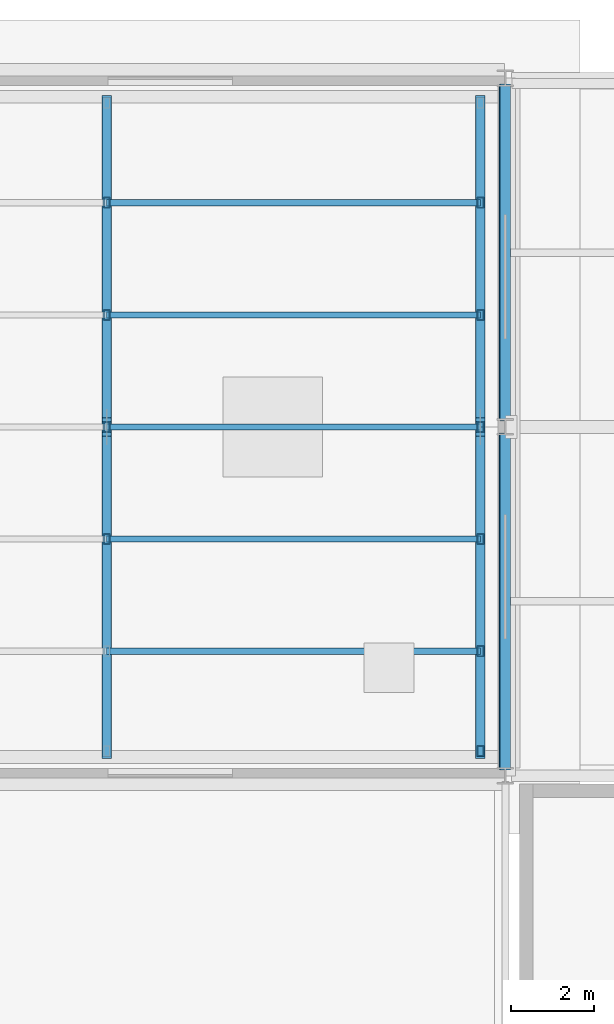
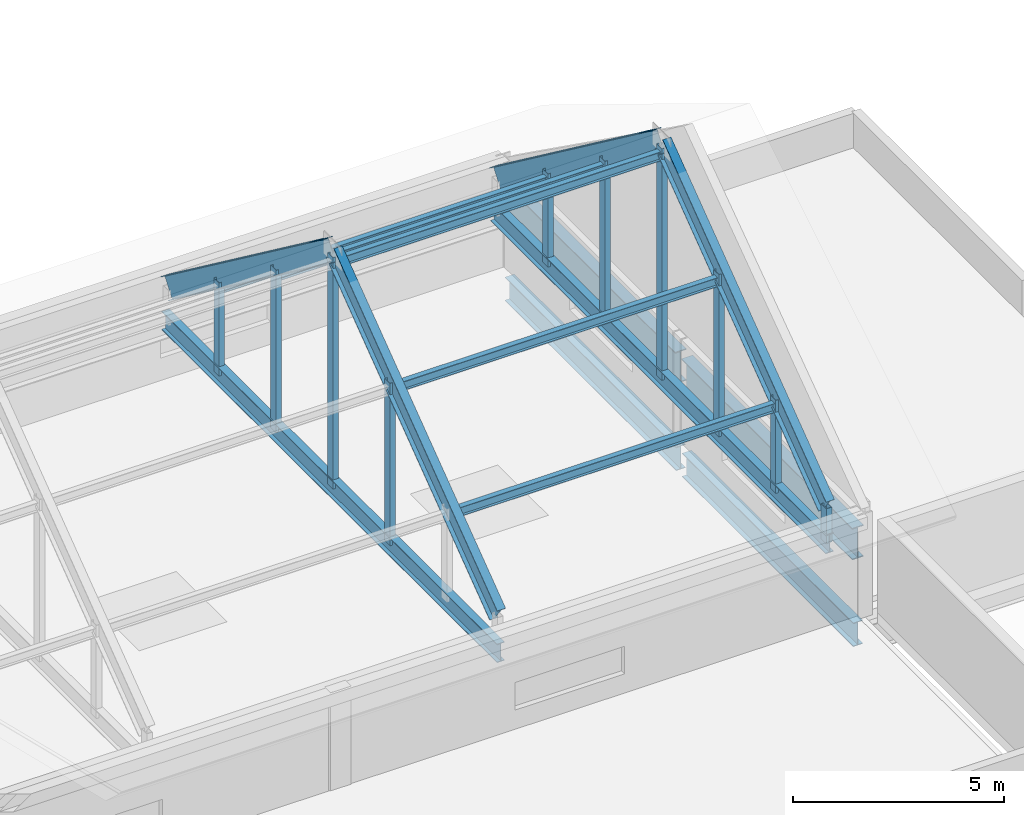
# One storey, part 4 of 10: 15 beams, 10 members.
"""IFC4 building model written with IfcOpenShell, lengths in metres."""

from ifc_helpers import new_model, si_unit, direction, frame, origin, origin_2d, place, context, subcontext, project, spatial, hollow_rectangle, i_section, extrude, material, material_profile, profile_set, type_object, element, save


model = new_model("IFC4")

# Units and contexts
model_context = context("Model", 3, precision=1e-05, world=origin(), true_north=direction((0.0, 1.0)))
body_context = subcontext(model_context, "Body", "Model", "MODEL_VIEW")
ifc_project = project(units=[si_unit("LENGTHUNIT", "METRE"), si_unit("AREAUNIT", "SQUARE_METRE"), si_unit("VOLUMEUNIT", "CUBIC_METRE"), si_unit("PLANEANGLEUNIT", "RADIAN"), si_unit("MASSUNIT", "GRAM", prefix="KILO")], contexts=[model_context])

# Site, building, storey
site_placement = place(None, origin())
site = spatial("IfcSite", under=ifc_project, at=site_placement, CompositionType="ELEMENT")
building_placement = place(site_placement, origin())
building = spatial("IfcBuilding", under=site, at=building_placement, Name="Lornevale Opera House", CompositionType="ELEMENT")
storey_placement = place(building_placement, frame((0.0, 0.0, 31.199951171875)))
storey = spatial("IfcBuildingStorey", under=building, at=storey_placement, Name="RF", CompositionType="ELEMENT", Elevation=31.199951171875)

# Beams
ifc_material = material(Name="Structural Steel CSA G40.21 Grade 350W (350 MPa)", Category="steel")
ifc_material_profile_1 = material_profile(ifc_material, i_section(OverallWidth=0.2099609375, OverallDepth=0.537109375, WebThickness=0.010986328125, FlangeThickness=0.017333984375, at=origin_2d()), Name="W530x101")
ifc_profile_set_1 = profile_set([ifc_material_profile_1], Name="Structural Steel CSA G40.21 Grade 350W (350 MPa)")
beam_type_1 = type_object("IfcBeamType", Name="Auditorium Truss Bottom Chord W530x101", PredefinedType="BEAM", material=ifc_profile_set_1)
for number, where, z_axis, x_axis, name in (
    (1, (86.39990234375, 67.64990234375, 1.949951171875), (0.0, 1.0, 0.0), (-1.0, 0.0, 0.0), "Auditorium Truss Bottom Chord W530x101 2996"),
    (2, (95.39990234375, 67.64990234375, 1.949951171875), (0.0, 1.0, 0.0), (-1.0, 0.0, 0.0), "Auditorium Truss Bottom Chord W530x101 2999"),
):
    element("IfcBeam", number, at=place(storey_placement, frame(where, z_axis=z_axis, x_axis=x_axis)), inside=storey, type_object=beam_type_1, Name=name, PredefinedType="BEAM", context=body_context, shape_type="SweptSolid", body=[
        extrude(i_section(OverallWidth=0.2099609375, OverallDepth=0.537109375, WebThickness=0.010986328125, FlangeThickness=0.017333984375, at=origin_2d()), origin(), (0.0, 0.0, 1.0), 15.900146484375),
    ])
ifc_material_profile_2 = material_profile(ifc_material, i_section(OverallWidth=0.22900390625, OverallDepth=0.612060546875, WebThickness=0.011962890625, FlangeThickness=0.01953125, at=origin_2d()), Name="W610x125")
ifc_profile_set_2 = profile_set([ifc_material_profile_2], Name="Structural Steel CSA G40.21 Grade 350W (350 MPa)")
beam_type_2 = type_object("IfcBeamType", Name="Auditorium Truss Top Chord W610x125", PredefinedType="BEAM", material=ifc_profile_set_2)
for number, where, z_axis, x_axis, name in (
    (3, (86.39990234375, 67.800048828125, 2.9599609375), (0.0, 0.801113071648, 0.598513029461), (-1.0, 0.0, 0.0), "Auditorium Truss Top Chord W610x125 2997"),
    (4, (86.39990234375, 75.64990234375, 8.75), (0.0, 0.801113071648, -0.598513029461), (-1.0, 0.0, 0.0), "Auditorium Truss Top Chord W610x125 2998"),
    (5, (95.39990234375, 67.800048828125, 2.9599609375), (0.0, 0.801113071648, 0.598513029461), (-1.0, 0.0, 0.0), "Auditorium Truss Top Chord W610x125 3000"),
    (6, (95.39990234375, 75.64990234375, 8.75), (0.0, 0.801113071648, -0.598513029461), (-1.0, 0.0, 0.0), "Auditorium Truss Top Chord W610x125 3001"),
):
    element("IfcBeam", number, at=place(storey_placement, frame(where, z_axis=z_axis, x_axis=x_axis)), inside=storey, type_object=beam_type_2, Name=name, PredefinedType="BEAM", context=body_context, shape_type="SweptSolid", body=[
        extrude(i_section(OverallWidth=0.22900390625, OverallDepth=0.612060546875, WebThickness=0.011962890625, FlangeThickness=0.01953125, at=origin_2d()), origin(), (0.0, 0.0, 1.0), 9.674072265625),
    ])
ifc_material_profile_3 = material_profile(ifc_material, i_section(OverallWidth=0.14794921875, OverallDepth=0.26611328125, WebThickness=0.007568359375, FlangeThickness=0.012939453125, at=origin_2d()), Name="W250x45")
ifc_profile_set_3 = profile_set([ifc_material_profile_3], Name="Structural Steel CSA G40.21 Grade 350W (350 MPa)")
beam_type_3 = type_object("IfcBeamType", Name="Copper Roof Purlin W250x45", PredefinedType="JOIST", material=ifc_profile_set_3)
for number, where, z_axis, x_axis, name in (
    (7, (86.39990234375, 70.199951171875, 4.3916015625), (1.0, 0.0, 0.0), (0.0, 1.0, 0.0), "Copper Roof Purlin W250x45 3004"),
    (8, (86.39990234375, 72.89990234375, 6.395751953125), (1.0, 0.0, 0.0), (0.0, 1.0, 0.0), "Copper Roof Purlin W250x45 3007"),
    (9, (86.39990234375, 75.60009765625, 8.400146484375), (1.0, 0.0, 0.0), (0.0, 1.0, 0.0), "Copper Roof Purlin W250x45 3010"),
    (10, (86.39990234375, 78.300048828125, 6.395751953125), (1.0, 0.0, 0.0), (0.0, 1.0, 0.0), "Copper Roof Purlin W250x45 3013"),
    (11, (86.39990234375, 81.0, 4.3916015625), (1.0, 0.0, 0.0), (0.0, 1.0, 0.0), "Copper Roof Purlin W250x45 3016"),
):
    element("IfcBeam", number, at=place(storey_placement, frame(where, z_axis=z_axis, x_axis=x_axis)), inside=storey, type_object=beam_type_3, Name=name, PredefinedType="JOIST", context=body_context, shape_type="SweptSolid", body=[
        extrude(i_section(OverallWidth=0.14794921875, OverallDepth=0.26611328125, WebThickness=0.007568359375, FlangeThickness=0.012939453125, at=origin_2d()), origin(), (0.0, 0.0, 1.0), 9.0),
    ])

# Members
ifc_material_profile_4 = material_profile(ifc_material, hollow_rectangle(XDim=0.152099609375, YDim=0.25390625, WallThickness=0.010986328125, at=origin_2d()), Name="HSS254x152x11")
ifc_profile_set_4 = profile_set([ifc_material_profile_4], Name="Structural Steel CSA G40.21 Grade 350W (350 MPa)")
member_type = type_object("IfcMemberType", Name="Stage Truss Web HSS254x152x11", PredefinedType="STRUT", material=ifc_profile_set_4)
member_1_placement = place(storey_placement, frame((86.39990234375, 72.89990234375, 1.949951171875), z_axis=(0.0, 0.0, 1.0), x_axis=(1.0, 0.0, 0.0)))
element("IfcMember", 12, at=member_1_placement, inside=storey, type_object=member_type, Name="Stage Truss Web HSS254x152x11 0085", PredefinedType="STRUT", context=body_context, shape_type="SweptSolid", body=[
    extrude(hollow_rectangle(XDim=0.152099609375, YDim=0.25390625, WallThickness=0.010986328125, at=origin_2d()), origin(), (0.0, 0.0, 1.0), 4.69580078125),
])
member_2_placement = place(storey_placement, frame((86.39990234375, 75.60009765625, 1.949951171875), z_axis=(0.0, 0.0, 1.0), x_axis=(1.0, 0.0, 0.0)))
element("IfcMember", 13, at=member_2_placement, inside=storey, type_object=member_type, Name="Stage Truss Web HSS254x152x11 0086", PredefinedType="STRUT", context=body_context, shape_type="SweptSolid", body=[
    extrude(hollow_rectangle(XDim=0.152099609375, YDim=0.25390625, WallThickness=0.010986328125, at=origin_2d()), origin(), (0.0, 0.0, 1.0), 6.7001953125),
])
member_3_placement = place(storey_placement, frame((86.39990234375, 78.300048828125, 1.949951171875), z_axis=(0.0, 0.0, 1.0), x_axis=(1.0, 0.0, 0.0)))
element("IfcMember", 14, at=member_3_placement, inside=storey, type_object=member_type, Name="Stage Truss Web HSS254x152x11 0087", PredefinedType="STRUT", context=body_context, shape_type="SweptSolid", body=[
    extrude(hollow_rectangle(XDim=0.152099609375, YDim=0.25390625, WallThickness=0.010986328125, at=origin_2d()), origin(), (0.0, 0.0, 1.0), 4.69580078125),
])
member_4_placement = place(storey_placement, frame((86.39990234375, 81.0, 1.949951171875), z_axis=(0.0, 0.0, 1.0), x_axis=(1.0, 0.0, 0.0)))
element("IfcMember", 15, at=member_4_placement, inside=storey, type_object=member_type, Name="Stage Truss Web HSS254x152x11 0088", PredefinedType="STRUT", context=body_context, shape_type="SweptSolid", body=[
    extrude(hollow_rectangle(XDim=0.152099609375, YDim=0.25390625, WallThickness=0.010986328125, at=origin_2d()), origin(), (0.0, 0.0, 1.0), 2.691650390625),
])
member_5_placement = place(storey_placement, frame((95.39990234375, 67.800048828125, 1.949951171875), z_axis=(0.0, 0.0, 1.0), x_axis=(1.0, 0.0, 0.0)))
element("IfcMember", 16, at=member_5_placement, inside=storey, type_object=member_type, Name="Stage Truss Web HSS254x152x11 0089", PredefinedType="STRUT", context=body_context, shape_type="SweptSolid", body=[
    extrude(hollow_rectangle(XDim=0.152099609375, YDim=0.25390625, WallThickness=0.010986328125, at=origin_2d()), origin(), (0.0, 0.0, 1.0), 1.010009765625),
])
member_6_placement = place(storey_placement, frame((95.39990234375, 70.199951171875, 1.949951171875), z_axis=(0.0, 0.0, 1.0), x_axis=(1.0, 0.0, 0.0)))
element("IfcMember", 17, at=member_6_placement, inside=storey, type_object=member_type, Name="Stage Truss Web HSS254x152x11 0091", PredefinedType="STRUT", context=body_context, shape_type="SweptSolid", body=[
    extrude(hollow_rectangle(XDim=0.152099609375, YDim=0.25390625, WallThickness=0.010986328125, at=origin_2d()), origin(), (0.0, 0.0, 1.0), 2.691650390625),
])
member_7_placement = place(storey_placement, frame((95.39990234375, 72.89990234375, 1.949951171875), z_axis=(0.0, 0.0, 1.0), x_axis=(1.0, 0.0, 0.0)))
element("IfcMember", 18, at=member_7_placement, inside=storey, type_object=member_type, Name="Stage Truss Web HSS254x152x11 0092", PredefinedType="STRUT", context=body_context, shape_type="SweptSolid", body=[
    extrude(hollow_rectangle(XDim=0.152099609375, YDim=0.25390625, WallThickness=0.010986328125, at=origin_2d()), origin(), (0.0, 0.0, 1.0), 4.69580078125),
])
member_8_placement = place(storey_placement, frame((95.39990234375, 75.60009765625, 1.949951171875), z_axis=(0.0, 0.0, 1.0), x_axis=(1.0, 0.0, 0.0)))
element("IfcMember", 19, at=member_8_placement, inside=storey, type_object=member_type, Name="Stage Truss Web HSS254x152x11 0093", PredefinedType="STRUT", context=body_context, shape_type="SweptSolid", body=[
    extrude(hollow_rectangle(XDim=0.152099609375, YDim=0.25390625, WallThickness=0.010986328125, at=origin_2d()), origin(), (0.0, 0.0, 1.0), 6.7001953125),
])
member_9_placement = place(storey_placement, frame((95.39990234375, 78.300048828125, 1.949951171875), z_axis=(0.0, 0.0, 1.0), x_axis=(1.0, 0.0, 0.0)))
element("IfcMember", 20, at=member_9_placement, inside=storey, type_object=member_type, Name="Stage Truss Web HSS254x152x11 0094", PredefinedType="STRUT", context=body_context, shape_type="SweptSolid", body=[
    extrude(hollow_rectangle(XDim=0.152099609375, YDim=0.25390625, WallThickness=0.010986328125, at=origin_2d()), origin(), (0.0, 0.0, 1.0), 4.69580078125),
])
member_10_placement = place(storey_placement, frame((95.39990234375, 81.0, 1.949951171875), z_axis=(0.0, 0.0, 1.0), x_axis=(1.0, 0.0, 0.0)))
element("IfcMember", 21, at=member_10_placement, inside=storey, type_object=member_type, Name="Stage Truss Web HSS254x152x11 0095", PredefinedType="STRUT", context=body_context, shape_type="SweptSolid", body=[
    extrude(hollow_rectangle(XDim=0.152099609375, YDim=0.25390625, WallThickness=0.010986328125, at=origin_2d()), origin(), (0.0, 0.0, 1.0), 2.691650390625),
])

# Beams
ifc_material_profile_5 = material_profile(ifc_material, i_section(OverallWidth=0.25390625, OverallDepth=0.68798828125, WebThickness=0.01318359375, FlangeThickness=0.02099609375, at=origin_2d()), Name="W690x152")
ifc_profile_set_5 = profile_set([ifc_material_profile_5], Name="Structural Steel CSA G40.21 Grade 350W (350 MPa)")
beam_type_4 = type_object("IfcBeamType", Name="Steel Foyer Beam W690x152", PredefinedType="USERDEFINED", material=ifc_profile_set_5)
for number, where, z_axis, x_axis, name in (
    (22, (96.0, 67.343505859375, -0.678955078125), (0.0, 1.0, 0.0), (-1.0, 0.0, 0.0), "Steel Foyer Beam W690x152 2913"),
    (23, (96.0, 75.743408203125, -0.678955078125), (0.0, 1.0, 0.0), (-1.0, 0.0, 0.0), "Steel Foyer Beam W690x152 2914"),
):
    element("IfcBeam", number, at=place(storey_placement, frame(where, z_axis=z_axis, x_axis=x_axis)), inside=storey, type_object=beam_type_4, Name=name, ObjectType="GIRDER", PredefinedType="USERDEFINED", context=body_context, shape_type="SweptSolid", body=[
        extrude(i_section(OverallWidth=0.25390625, OverallDepth=0.68798828125, WebThickness=0.01318359375, FlangeThickness=0.02099609375, at=origin_2d()), origin(), (0.0, 0.0, 1.0), 8.113037109375),
    ])
ifc_material_profile_6 = material_profile(ifc_material, i_section(OverallWidth=0.305908203125, OverallDepth=0.9189453125, WebThickness=0.017333984375, FlangeThickness=0.02783203125, at=origin_2d()), Name="W920x253")
ifc_profile_set_6 = profile_set([ifc_material_profile_6], Name="Structural Steel CSA G40.21 Grade 350W (350 MPa)")
beam_type_5 = type_object("IfcBeamType", Name="Steel Stagehouse Girder W920x253", PredefinedType="USERDEFINED", material=ifc_profile_set_6)
beam_1_placement = place(storey_placement, frame((96.0, 67.35009765625, 1.949951171875), z_axis=(0.0, 1.0, 0.0), x_axis=(-1.0, 0.0, 0.0)))
element("IfcBeam", 24, at=beam_1_placement, inside=storey, type_object=beam_type_5, Name="Steel Stagehouse Girder W920x253 2986", ObjectType="GIRDER", PredefinedType="USERDEFINED", context=body_context, shape_type="SweptSolid", body=[
    extrude(i_section(OverallWidth=0.305908203125, OverallDepth=0.9189453125, WebThickness=0.017333984375, FlangeThickness=0.02783203125, at=origin_2d()), origin(), (0.0, 0.0, 1.0), 8.099853515625),
])
beam_2_placement = place(storey_placement, frame((96.0, 75.75, 1.949951171875), z_axis=(0.0, 1.0, 0.0), x_axis=(-1.0, 0.0, 0.0)))
element("IfcBeam", 25, at=beam_2_placement, inside=storey, type_object=beam_type_5, Name="Steel Stagehouse Girder W920x253 2987", ObjectType="GIRDER", PredefinedType="USERDEFINED", context=body_context, shape_type="SweptSolid", body=[
    extrude(i_section(OverallWidth=0.305908203125, OverallDepth=0.9189453125, WebThickness=0.017333984375, FlangeThickness=0.02783203125, at=origin_2d()), origin(), (0.0, 0.0, 1.0), 8.10009765625),
])

save(model, "model.ifc")
